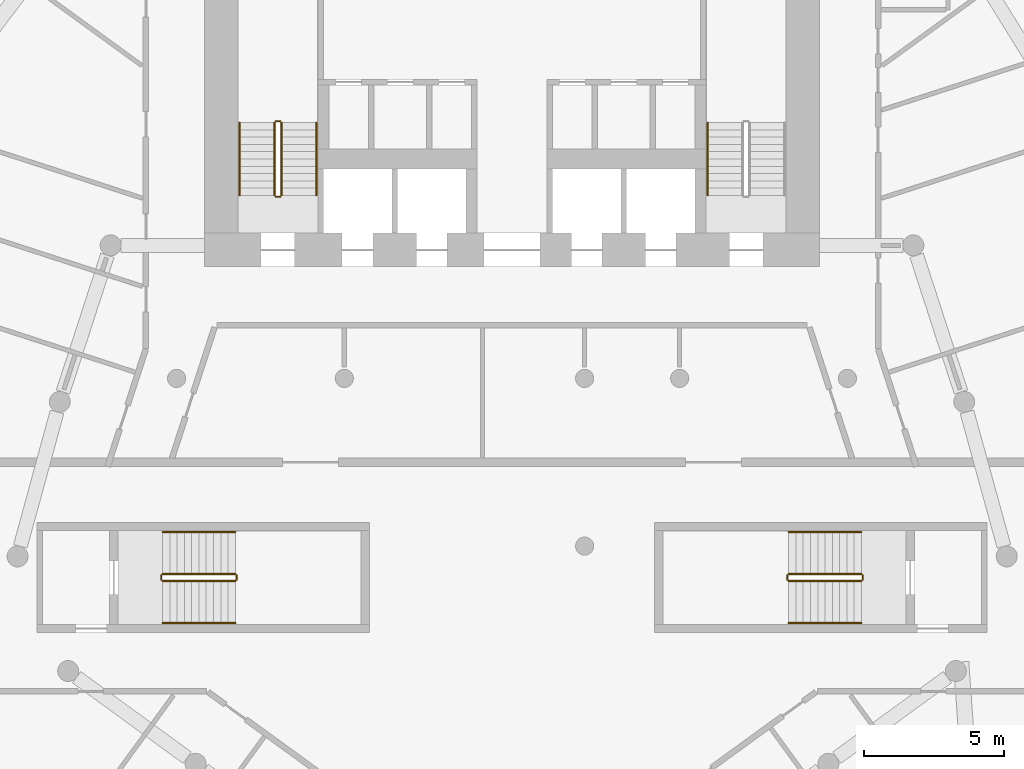
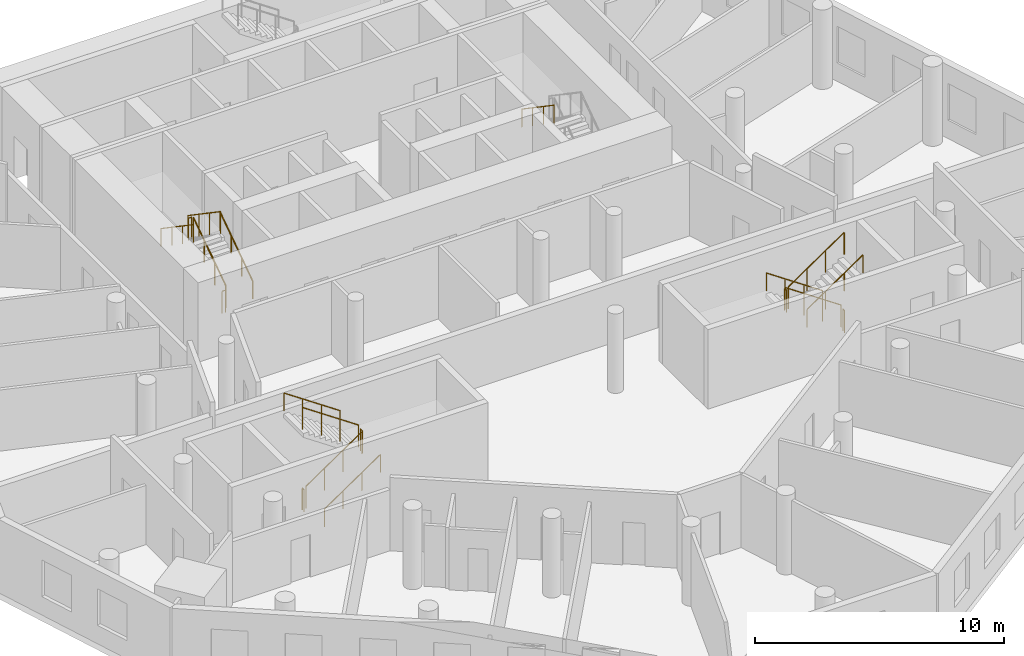
# One storey, part 8 of 9: 19 railings.
"""IFC4 building model written with IfcOpenShell, lengths in metres."""

from ifc_helpers import new_model, si_unit, direction, frame, origin, origin_2d, place, context, subcontext, project, spatial, circle, extrude, material, type_object, element, save


model = new_model("IFC4")

# Units and contexts
model_context = context("Model", 3, precision=1e-05, world=origin(), true_north=direction((0.0, 1.0)))
body_context = subcontext(model_context, "Body", "Model", "MODEL_VIEW")
ifc_project = project(units=[si_unit("LENGTHUNIT", "METRE"), si_unit("AREAUNIT", "SQUARE_METRE"), si_unit("VOLUMEUNIT", "CUBIC_METRE"), si_unit("PLANEANGLEUNIT", "RADIAN"), si_unit("MASSUNIT", "GRAM", prefix="KILO")], contexts=[model_context])

# Site, building, storey
site_placement = place(None, origin())
site = spatial("IfcSite", under=ifc_project, at=site_placement, CompositionType="ELEMENT")
building_placement = place(site_placement, origin())
building = spatial("IfcBuilding", under=site, at=building_placement, Name="White Candle Pilgrim Tower", CompositionType="ELEMENT")
storey_placement = place(building_placement, frame((0.0, 0.0, 81.89990234375)))
storey = spatial("IfcBuildingStorey", under=building, at=storey_placement, Name="L17", CompositionType="ELEMENT", Elevation=81.89990234375)

# Railings
ifc_material = material(Name="Stainless steel", Category="steel")
railing_type_1 = type_object("IfcRailingType", Name="Stair guard stainless steel 1100 mm", PredefinedType="GUARDRAIL", material=ifc_material)
railing_1_placement = place(storey_placement, frame((61.75, 73.550048828125, 0.177490234375)))
element("IfcRailing", 1, at=railing_1_placement, inside=storey, type_object=railing_type_1, Name="L17 ST1 stair guard 1", PredefinedType="GUARDRAIL", context=body_context, shape_type="SweptSolid", body=[
    extrude(circle(Radius=0.02392578125, at=origin_2d()), frame((0.0, 0.0, 1.076171875), z_axis=(0.0, 0.826215852431, 0.563353676824), x_axis=(-1.0, 0.0, 0.0)), (0.0, 0.0, 1.0), 3.146728515625),
    extrude(circle(Radius=0.02099609375, at=origin_2d()), origin(), (0.0, 0.0, 1.0), 1.052001953125),
    extrude(circle(Radius=0.02099609375, at=origin_2d()), frame((0.0, 0.86669921875, 0.5908203125)), (0.0, 0.0, 1.0), 1.052001953125),
    extrude(circle(Radius=0.02099609375, at=origin_2d()), frame((0.0, 1.733154296875, 1.181884765625)), (0.0, 0.0, 1.0), 1.052001953125),
    extrude(circle(Radius=0.02099609375, at=origin_2d()), frame((0.0, 2.599853515625, 1.772705078125)), (0.0, 0.0, 1.0), 1.052001953125),
])
railing_2_placement = place(storey_placement, frame((61.699951171875, 76.199951171875, 1.9501953125)))
element("IfcRailing", 2, at=railing_2_placement, inside=storey, type_object=railing_type_1, Name="L17 ST1 stair guard 2", PredefinedType="GUARDRAIL", context=body_context, shape_type="SweptSolid", body=[
    extrude(circle(Radius=0.02392578125, at=origin_2d()), frame((0.0, 0.0, 1.076171875), z_axis=(-1.0, 0.0, 0.0), x_axis=(0.0, -1.0, 0.0)), (0.0, 0.0, 1.0), 0.14990234375),
    extrude(circle(Radius=0.02099609375, at=origin_2d()), origin(), (0.0, 0.0, 1.0), 1.052001953125),
    extrude(circle(Radius=0.02099609375, at=origin_2d()), frame((-0.14990234375, 0.0, 0.0)), (0.0, 0.0, 1.0), 1.052001953125),
])
railing_3_placement = place(storey_placement, frame((61.5, 76.14990234375, 2.12744140625)))
element("IfcRailing", 3, at=railing_3_placement, inside=storey, type_object=railing_type_1, Name="L17 ST1 stair guard 3", PredefinedType="GUARDRAIL", context=body_context, shape_type="SweptSolid", body=[
    extrude(circle(Radius=0.02392578125, at=origin_2d()), frame((0.0, 0.0, 1.076171875), z_axis=(0.0, -0.826215852431, 0.563353676824), x_axis=(1.0, 0.0, 0.0)), (0.0, 0.0, 1.0), 3.146728515625),
    extrude(circle(Radius=0.02099609375, at=origin_2d()), origin(), (0.0, 0.0, 1.0), 1.052001953125),
    extrude(circle(Radius=0.02099609375, at=origin_2d()), frame((0.0, -0.86669921875, 0.5908203125)), (0.0, 0.0, 1.0), 1.052001953125),
    extrude(circle(Radius=0.02099609375, at=origin_2d()), frame((0.0, -1.733154296875, 1.181884765625)), (0.0, 0.0, 1.0), 1.052001953125),
    extrude(circle(Radius=0.02099609375, at=origin_2d()), frame((0.0, -2.599853515625, 1.772705078125)), (0.0, 0.0, 1.0), 1.052001953125),
])
railing_4_placement = place(storey_placement, frame((61.699951171875, 73.5, 0.0)))
element("IfcRailing", 4, at=railing_4_placement, inside=storey, type_object=railing_type_1, Name="L17 ST1 stair guard 4", PredefinedType="GUARDRAIL", context=body_context, shape_type="SweptSolid", body=[
    extrude(circle(Radius=0.02392578125, at=origin_2d()), frame((0.0, 0.0, 1.076171875), z_axis=(-1.0, 0.0, 0.0), x_axis=(0.0, -1.0, 0.0)), (0.0, 0.0, 1.0), 0.14990234375),
    extrude(circle(Radius=0.02099609375, at=origin_2d()), origin(), (0.0, 0.0, 1.0), 1.052001953125),
    extrude(circle(Radius=0.02099609375, at=origin_2d()), frame((-0.14990234375, 0.0, 0.0)), (0.0, 0.0, 1.0), 1.052001953125),
])
railing_5_placement = place(storey_placement, frame((82.5, 60.0, 0.177490234375)))
element("IfcRailing", 5, at=railing_5_placement, inside=storey, type_object=railing_type_1, Name="L17 ST4 stair guard 1", PredefinedType="GUARDRAIL", context=body_context, shape_type="SweptSolid", body=[
    extrude(circle(Radius=0.02392578125, at=origin_2d()), frame((0.0, 0.0, 1.076171875), z_axis=(-0.826240473404, 0.0, 0.563317565952), x_axis=(0.0, -1.0, 0.0)), (0.0, 0.0, 1.0), 3.14697265625),
    extrude(circle(Radius=0.02099609375, at=origin_2d()), origin(), (0.0, 0.0, 1.0), 1.052001953125),
    extrude(circle(Radius=0.02099609375, at=origin_2d()), frame((-0.86669921875, 0.0, 0.5908203125)), (0.0, 0.0, 1.0), 1.052001953125),
    extrude(circle(Radius=0.02099609375, at=origin_2d()), frame((-1.7333984375, 0.0, 1.181884765625)), (0.0, 0.0, 1.0), 1.052001953125),
    extrude(circle(Radius=0.02099609375, at=origin_2d()), frame((-2.60009765625, 0.0, 1.772705078125)), (0.0, 0.0, 1.0), 1.052001953125),
])
railing_6_placement = place(storey_placement, frame((79.85009765625, 59.949951171875, 1.9501953125)))
element("IfcRailing", 6, at=railing_6_placement, inside=storey, type_object=railing_type_1, Name="L17 ST4 stair guard 2", PredefinedType="GUARDRAIL", context=body_context, shape_type="SweptSolid", body=[
    extrude(circle(Radius=0.02392578125, at=origin_2d()), frame((0.0, 0.0, 1.076171875), z_axis=(0.0, -1.0, 0.0), x_axis=(1.0, 0.0, 0.0)), (0.0, 0.0, 1.0), 0.14990234375),
    extrude(circle(Radius=0.02099609375, at=origin_2d()), origin(), (0.0, 0.0, 1.0), 1.052001953125),
    extrude(circle(Radius=0.02099609375, at=origin_2d()), frame((0.0, -0.14990234375, 0.0)), (0.0, 0.0, 1.0), 1.052001953125),
])
railing_7_placement = place(storey_placement, frame((79.89990234375, 59.75, 2.12744140625)))
element("IfcRailing", 7, at=railing_7_placement, inside=storey, type_object=railing_type_1, Name="L17 ST4 stair guard 3", PredefinedType="GUARDRAIL", context=body_context, shape_type="SweptSolid", body=[
    extrude(circle(Radius=0.02392578125, at=origin_2d()), frame((0.0, 0.0, 1.076171875), z_axis=(0.826240473404, 0.0, 0.563317565952), x_axis=(0.0, 1.0, 0.0)), (0.0, 0.0, 1.0), 3.14697265625),
    extrude(circle(Radius=0.02099609375, at=origin_2d()), origin(), (0.0, 0.0, 1.0), 1.052001953125),
    extrude(circle(Radius=0.02099609375, at=origin_2d()), frame((0.86669921875, 0.0, 0.5908203125)), (0.0, 0.0, 1.0), 1.052001953125),
    extrude(circle(Radius=0.02099609375, at=origin_2d()), frame((1.7333984375, 0.0, 1.181884765625)), (0.0, 0.0, 1.0), 1.052001953125),
    extrude(circle(Radius=0.02099609375, at=origin_2d()), frame((2.60009765625, 0.0, 1.772705078125)), (0.0, 0.0, 1.0), 1.052001953125),
])
railing_8_placement = place(storey_placement, frame((82.550048828125, 59.949951171875, 0.0)))
element("IfcRailing", 8, at=railing_8_placement, inside=storey, type_object=railing_type_1, Name="L17 ST4 stair guard 4", PredefinedType="GUARDRAIL", context=body_context, shape_type="SweptSolid", body=[
    extrude(circle(Radius=0.02392578125, at=origin_2d()), frame((0.0, 0.0, 1.076171875), z_axis=(0.0, -1.0, 0.0), x_axis=(1.0, 0.0, 0.0)), (0.0, 0.0, 1.0), 0.14990234375),
    extrude(circle(Radius=0.02099609375, at=origin_2d()), origin(), (0.0, 0.0, 1.0), 1.052001953125),
    extrude(circle(Radius=0.02099609375, at=origin_2d()), frame((0.0, -0.14990234375, 0.0)), (0.0, 0.0, 1.0), 1.052001953125),
])
railing_9_placement = place(storey_placement, frame((57.5, 59.75, 0.177490234375)))
element("IfcRailing", 9, at=railing_9_placement, inside=storey, type_object=railing_type_1, Name="L17 ST5 stair guard 1", PredefinedType="GUARDRAIL", context=body_context, shape_type="SweptSolid", body=[
    extrude(circle(Radius=0.02392578125, at=origin_2d()), frame((0.0, 0.0, 1.076171875), z_axis=(0.826240473404, 0.0, 0.563317565952), x_axis=(0.0, 1.0, 0.0)), (0.0, 0.0, 1.0), 3.14697265625),
    extrude(circle(Radius=0.02099609375, at=origin_2d()), origin(), (0.0, 0.0, 1.0), 1.052001953125),
    extrude(circle(Radius=0.02099609375, at=origin_2d()), frame((0.86669921875, 0.0, 0.5908203125)), (0.0, 0.0, 1.0), 1.052001953125),
    extrude(circle(Radius=0.02099609375, at=origin_2d()), frame((1.7333984375, 0.0, 1.181884765625)), (0.0, 0.0, 1.0), 1.052001953125),
    extrude(circle(Radius=0.02099609375, at=origin_2d()), frame((2.60009765625, 0.0, 1.772705078125)), (0.0, 0.0, 1.0), 1.052001953125),
])
railing_10_placement = place(storey_placement, frame((60.14990234375, 59.800048828125, 1.9501953125)))
element("IfcRailing", 10, at=railing_10_placement, inside=storey, type_object=railing_type_1, Name="L17 ST5 stair guard 2", PredefinedType="GUARDRAIL", context=body_context, shape_type="SweptSolid", body=[
    extrude(circle(Radius=0.02392578125, at=origin_2d()), frame((0.0, 0.0, 1.076171875), z_axis=(0.0, 1.0, 0.0), x_axis=(-1.0, 0.0, 0.0)), (0.0, 0.0, 1.0), 0.14990234375),
    extrude(circle(Radius=0.02099609375, at=origin_2d()), origin(), (0.0, 0.0, 1.0), 1.052001953125),
    extrude(circle(Radius=0.02099609375, at=origin_2d()), frame((0.0, 0.14990234375, 0.0)), (0.0, 0.0, 1.0), 1.052001953125),
])
railing_11_placement = place(storey_placement, frame((60.10009765625, 60.0, 2.12744140625)))
element("IfcRailing", 11, at=railing_11_placement, inside=storey, type_object=railing_type_1, Name="L17 ST5 stair guard 3", PredefinedType="GUARDRAIL", context=body_context, shape_type="SweptSolid", body=[
    extrude(circle(Radius=0.02392578125, at=origin_2d()), frame((0.0, 0.0, 1.076171875), z_axis=(-0.826240473404, 0.0, 0.563317565952), x_axis=(0.0, -1.0, 0.0)), (0.0, 0.0, 1.0), 3.14697265625),
    extrude(circle(Radius=0.02099609375, at=origin_2d()), origin(), (0.0, 0.0, 1.0), 1.052001953125),
    extrude(circle(Radius=0.02099609375, at=origin_2d()), frame((-0.86669921875, 0.0, 0.5908203125)), (0.0, 0.0, 1.0), 1.052001953125),
    extrude(circle(Radius=0.02099609375, at=origin_2d()), frame((-1.7333984375, 0.0, 1.181884765625)), (0.0, 0.0, 1.0), 1.052001953125),
    extrude(circle(Radius=0.02099609375, at=origin_2d()), frame((-2.60009765625, 0.0, 1.772705078125)), (0.0, 0.0, 1.0), 1.052001953125),
])
railing_12_placement = place(storey_placement, frame((57.449951171875, 59.800048828125, 0.0)))
element("IfcRailing", 12, at=railing_12_placement, inside=storey, type_object=railing_type_1, Name="L17 ST5 stair guard 4", PredefinedType="GUARDRAIL", context=body_context, shape_type="SweptSolid", body=[
    extrude(circle(Radius=0.02392578125, at=origin_2d()), frame((0.0, 0.0, 1.076171875), z_axis=(0.0, 1.0, 0.0), x_axis=(-1.0, 0.0, 0.0)), (0.0, 0.0, 1.0), 0.14990234375),
    extrude(circle(Radius=0.02099609375, at=origin_2d()), origin(), (0.0, 0.0, 1.0), 1.052001953125),
    extrude(circle(Radius=0.02099609375, at=origin_2d()), frame((0.0, 0.14990234375, 0.0)), (0.0, 0.0, 1.0), 1.052001953125),
])
railing_type_2 = type_object("IfcRailingType", Name="Stair handrail stainless steel", PredefinedType="HANDRAIL", material=ifc_material)
railing_13_placement = place(storey_placement, frame((63.0, 73.550048828125, 0.177490234375)))
element("IfcRailing", 13, at=railing_13_placement, inside=storey, type_object=railing_type_2, Name="L17 ST1 stair handrail 1", PredefinedType="HANDRAIL", context=body_context, shape_type="SweptSolid", body=[
    extrude(circle(Radius=0.02392578125, at=origin_2d()), frame((0.0, 0.0, 0.8759765625), z_axis=(0.0, 0.826215852431, 0.563353676824), x_axis=(-1.0, 0.0, 0.0)), (0.0, 0.0, 1.0), 3.146728515625),
    extrude(circle(Radius=0.02099609375, at=origin_2d()), origin(), (0.0, 0.0, 1.0), 0.851806640625),
    extrude(circle(Radius=0.02099609375, at=origin_2d()), frame((0.0, 0.86669921875, 0.5908203125)), (0.0, 0.0, 1.0), 0.851806640625),
    extrude(circle(Radius=0.02099609375, at=origin_2d()), frame((0.0, 1.733154296875, 1.181884765625)), (0.0, 0.0, 1.0), 0.851806640625),
    extrude(circle(Radius=0.02099609375, at=origin_2d()), frame((0.0, 2.599853515625, 1.772705078125)), (0.0, 0.0, 1.0), 0.851806640625),
])
for number, where, name in (
    (14, (60.25, 76.14990234375, 2.12744140625), "L17 ST1 stair handrail 2"),
    (15, (77.0, 76.14990234375, 2.12744140625), "L17 ST2 stair handrail 2"),
):
    element("IfcRailing", number, at=place(storey_placement, frame(where)), inside=storey, type_object=railing_type_2, Name=name, PredefinedType="HANDRAIL", context=body_context, shape_type="SweptSolid", body=[
        extrude(circle(Radius=0.02392578125, at=origin_2d()), frame((0.0, 0.0, 0.8759765625), z_axis=(0.0, -0.826215852431, 0.563353676824), x_axis=(1.0, 0.0, 0.0)), (0.0, 0.0, 1.0), 3.146728515625),
        extrude(circle(Radius=0.02099609375, at=origin_2d()), origin(), (0.0, 0.0, 1.0), 0.851806640625),
        extrude(circle(Radius=0.02099609375, at=origin_2d()), frame((0.0, -0.86669921875, 0.5908203125)), (0.0, 0.0, 1.0), 0.851806640625),
        extrude(circle(Radius=0.02099609375, at=origin_2d()), frame((0.0, -1.733154296875, 1.181884765625)), (0.0, 0.0, 1.0), 0.851806640625),
        extrude(circle(Radius=0.02099609375, at=origin_2d()), frame((0.0, -2.599853515625, 1.772705078125)), (0.0, 0.0, 1.0), 0.851806640625),
    ])
railing_14_placement = place(storey_placement, frame((82.5, 61.5, 0.177490234375)))
element("IfcRailing", 16, at=railing_14_placement, inside=storey, type_object=railing_type_2, Name="L17 ST4 stair handrail 1", PredefinedType="HANDRAIL", context=body_context, shape_type="SweptSolid", body=[
    extrude(circle(Radius=0.02392578125, at=origin_2d()), frame((0.0, 0.0, 0.8759765625), z_axis=(-0.826240473404, 0.0, 0.563317565952), x_axis=(0.0, -1.0, 0.0)), (0.0, 0.0, 1.0), 3.14697265625),
    extrude(circle(Radius=0.02099609375, at=origin_2d()), origin(), (0.0, 0.0, 1.0), 0.851806640625),
    extrude(circle(Radius=0.02099609375, at=origin_2d()), frame((-0.86669921875, 0.0, 0.5908203125)), (0.0, 0.0, 1.0), 0.851806640625),
    extrude(circle(Radius=0.02099609375, at=origin_2d()), frame((-1.7333984375, 0.0, 1.181884765625)), (0.0, 0.0, 1.0), 0.851806640625),
    extrude(circle(Radius=0.02099609375, at=origin_2d()), frame((-2.60009765625, 0.0, 1.772705078125)), (0.0, 0.0, 1.0), 0.851806640625),
])
for number, where, name in (
    (17, (79.89990234375, 58.25, 2.12744140625), "L17 ST4 stair handrail 2"),
    (18, (57.5, 58.25, 0.177490234375), "L17 ST5 stair handrail 1"),
):
    element("IfcRailing", number, at=place(storey_placement, frame(where)), inside=storey, type_object=railing_type_2, Name=name, PredefinedType="HANDRAIL", context=body_context, shape_type="SweptSolid", body=[
        extrude(circle(Radius=0.02392578125, at=origin_2d()), frame((0.0, 0.0, 0.8759765625), z_axis=(0.826240473404, 0.0, 0.563317565952), x_axis=(0.0, 1.0, 0.0)), (0.0, 0.0, 1.0), 3.14697265625),
        extrude(circle(Radius=0.02099609375, at=origin_2d()), origin(), (0.0, 0.0, 1.0), 0.851806640625),
        extrude(circle(Radius=0.02099609375, at=origin_2d()), frame((0.86669921875, 0.0, 0.5908203125)), (0.0, 0.0, 1.0), 0.851806640625),
        extrude(circle(Radius=0.02099609375, at=origin_2d()), frame((1.7333984375, 0.0, 1.181884765625)), (0.0, 0.0, 1.0), 0.851806640625),
        extrude(circle(Radius=0.02099609375, at=origin_2d()), frame((2.60009765625, 0.0, 1.772705078125)), (0.0, 0.0, 1.0), 0.851806640625),
    ])
railing_15_placement = place(storey_placement, frame((60.10009765625, 61.5, 2.12744140625)))
element("IfcRailing", 19, at=railing_15_placement, inside=storey, type_object=railing_type_2, Name="L17 ST5 stair handrail 2", PredefinedType="HANDRAIL", context=body_context, shape_type="SweptSolid", body=[
    extrude(circle(Radius=0.02392578125, at=origin_2d()), frame((0.0, 0.0, 0.8759765625), z_axis=(-0.826240473404, 0.0, 0.563317565952), x_axis=(0.0, -1.0, 0.0)), (0.0, 0.0, 1.0), 3.14697265625),
    extrude(circle(Radius=0.02099609375, at=origin_2d()), origin(), (0.0, 0.0, 1.0), 0.851806640625),
    extrude(circle(Radius=0.02099609375, at=origin_2d()), frame((-0.86669921875, 0.0, 0.5908203125)), (0.0, 0.0, 1.0), 0.851806640625),
    extrude(circle(Radius=0.02099609375, at=origin_2d()), frame((-1.7333984375, 0.0, 1.181884765625)), (0.0, 0.0, 1.0), 0.851806640625),
    extrude(circle(Radius=0.02099609375, at=origin_2d()), frame((-2.60009765625, 0.0, 1.772705078125)), (0.0, 0.0, 1.0), 0.851806640625),
])

save(model, "model.ifc")
